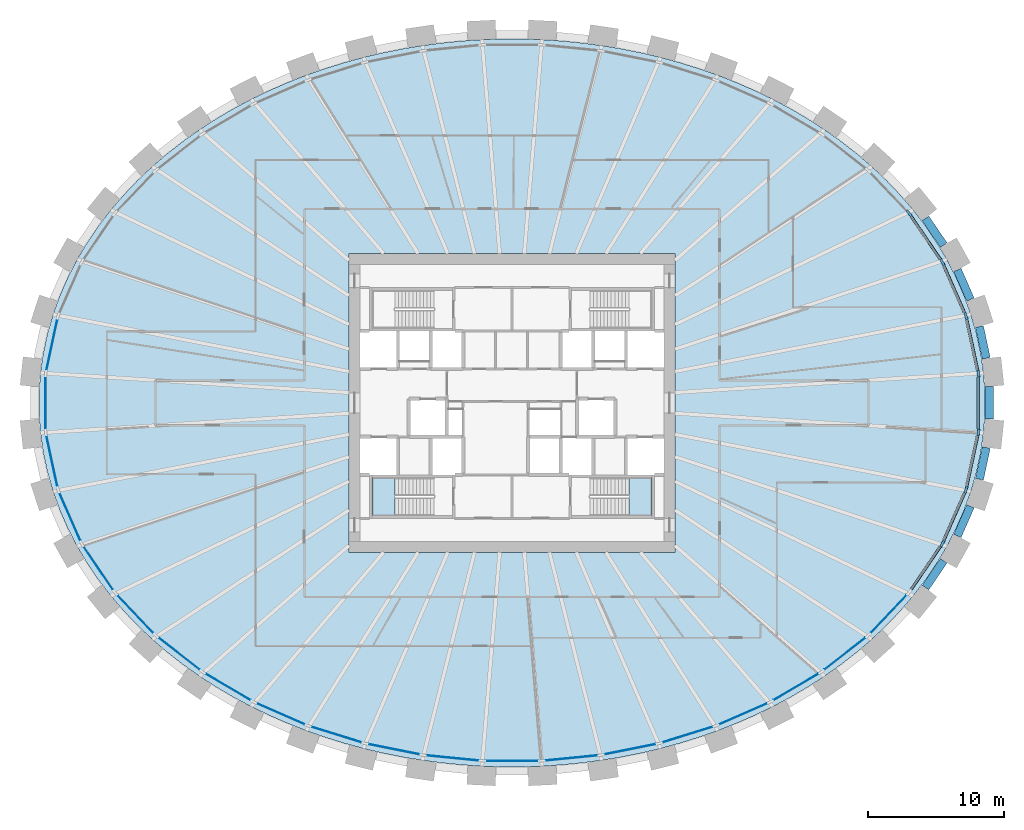
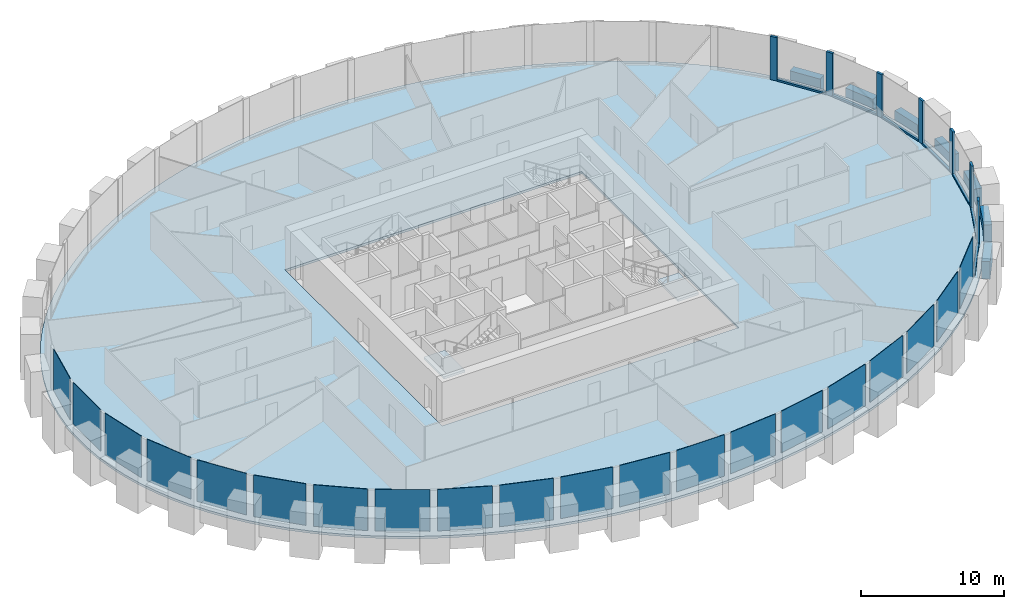
# One storey, part 4 of 11: 20 plates, 14 members, 7 beams, 3 slabs, 3 elements without a shape of their own.
"""IFC4 building model written with IfcOpenShell, lengths in metres."""

import ifcopenshell
import ifcopenshell.guid

model = None  # the IFC model being written
_history = None  # IfcOwnerHistory: only IFC2X3 demands one
_inside = {}  # id of a spatial element -> (the spatial element, [elements in it])
_under = {}  # id of a project, library or spatial element -> (it, [spatial elements below it])
_declared = {}  # id of a project -> (the project, [libraries it declares])
_typed = {}  # id of a type object -> (the type object, [elements of that type])
_made_of = {}  # id of a material, layer set ... -> (it, [elements and type objects made of it])


def new_model(schema):
    """Start an empty IFC model of exactly this schema.

    Asked for "IFC4X3", IfcOpenShell would pick the latest addendum, in which some entities
    have other attributes; the version numbers below select the first issue.
    IFC2X3 requires an IfcOwnerHistory on every rooted entity: one is made here for all.
    """
    global model, _history
    if schema == "IFC4X3":
        model = ifcopenshell.file(schema_version=(4, 3, 0, 0))
    else:
        model = ifcopenshell.file(schema=schema)
    _inside.clear()
    _under.clear()
    _declared.clear()
    _typed.clear()
    _made_of.clear()
    _history = None
    if model.schema == "IFC2X3":
        org = make("IfcOrganization", Name="unknown")
        user = make(
            "IfcPersonAndOrganization",
            ThePerson=make("IfcPerson", FamilyName="unknown"),
            TheOrganization=org,
        )
        app = make(
            "IfcApplication",
            ApplicationDeveloper=org,
            Version="unknown",
            ApplicationFullName="unknown",
            ApplicationIdentifier="unknown",
        )
        _history = make(
            "IfcOwnerHistory",
            OwningUser=user,
            OwningApplication=app,
            ChangeAction="ADDED",
            CreationDate=0,
        )
    return model


def make(cls, **values):
    """One entity of the class cls with the attributes given. An attribute that is None is left unset."""
    return model.create_entity(
        cls, **{name: value for name, value in values.items() if value is not None}
    )


def rooted(cls, **values):
    """An entity with a GlobalId (a new one), such as an element, a storey or a relation."""
    return make(cls, GlobalId=ifcopenshell.guid.new(), OwnerHistory=_history, **values)


def si_unit(unit_type, name, prefix=None):
    """IfcSIUnit, for example si_unit("LENGTHUNIT", "METRE", prefix="MILLI")."""
    return make("IfcSIUnit", UnitType=unit_type, Prefix=prefix, Name=name)


def assignment(units):
    """IfcUnitAssignment: the units of a project."""
    return None if units is None else make("IfcUnitAssignment", Units=units)


def point(xyz):
    """IfcCartesianPoint."""
    return None if xyz is None else make("IfcCartesianPoint", Coordinates=xyz)


def direction(xyz):
    """IfcDirection."""
    return None if xyz is None else make("IfcDirection", DirectionRatios=xyz)


def frame(location, z_axis=None, x_axis=None):
    """IfcAxis2Placement3D, a coordinate frame: its origin and axes. An axis left out is left unset."""
    return make(
        "IfcAxis2Placement3D",
        Location=point(location),
        Axis=direction(z_axis),
        RefDirection=direction(x_axis),
    )


def frame_2d(location, x_axis=None):
    """IfcAxis2Placement2D, a coordinate frame in the plane: its origin and x axis."""
    return make(
        "IfcAxis2Placement2D", Location=point(location), RefDirection=direction(x_axis)
    )


def origin():
    """The frame at (0, 0, 0) with its axes left unset."""
    return frame((0.0, 0.0, 0.0))


def origin_2d():
    """The frame at (0, 0) in the plane with its x axis left unset."""
    return frame_2d((0.0, 0.0))


def place(relative_to, where):
    """IfcLocalPlacement: puts the frame where relative to a parent placement (None: the world)."""
    return make(
        "IfcLocalPlacement", PlacementRelTo=relative_to, RelativePlacement=where
    )


def context(
    kind, dimensions, precision=None, world=None, true_north=None, identifier=None
):
    """IfcGeometricRepresentationContext, for example the 3D "Model" context."""
    return make(
        "IfcGeometricRepresentationContext",
        ContextIdentifier=identifier,
        ContextType=kind,
        CoordinateSpaceDimension=dimensions,
        Precision=precision,
        WorldCoordinateSystem=world,
        TrueNorth=true_north,
    )


def subcontext(parent, identifier, kind, view, scale=None):
    """IfcGeometricRepresentationSubContext, for example "Body" below "Model"."""
    return make(
        "IfcGeometricRepresentationSubContext",
        ContextIdentifier=identifier,
        ContextType=kind,
        ParentContext=parent,
        TargetScale=scale,
        TargetView=view,
    )


def project(units=None, contexts=None):
    """IfcProject with its units and contexts."""
    return rooted(
        "IfcProject",
        Name="project",
        RepresentationContexts=contexts,
        UnitsInContext=assignment(units),
    )


def spatial(cls, under=None, at=None, **own):
    """A site, building, storey or space (cls), placed at a placement, below another one or the project."""
    s = rooted(cls, ObjectPlacement=at, **own)
    if under is not None:
        _under.setdefault(under.id(), (under, []))[1].append(s)
    return s


def polyline(points):
    """IfcPolyline through the points."""
    return make("IfcPolyline", Points=[point(p) for p in points])


def profile(cls, at=None, kind="AREA", **sizes):
    """A parametric profile (cls). Its sizes go by their IFC names, for example OverallWidth=200.0."""
    return make(cls, ProfileType=kind, Position=at, **sizes)


def rectangle(**sizes):
    """IfcRectangleProfileDef."""
    return profile("IfcRectangleProfileDef", **sizes)


def outline(outer, holes=None, kind="AREA"):
    """IfcArbitraryClosedProfileDef: a profile drawn as a closed curve; with holes, ...WithVoids."""
    if holes is None:
        return make("IfcArbitraryClosedProfileDef", ProfileType=kind, OuterCurve=outer)
    return make(
        "IfcArbitraryProfileDefWithVoids",
        ProfileType=kind,
        OuterCurve=outer,
        InnerCurves=holes,
    )


def extrude(swept, where, along, depth):
    """IfcExtrudedAreaSolid: the profile swept, set in the frame where, extruded along a direction by depth."""
    return make(
        "IfcExtrudedAreaSolid",
        SweptArea=swept,
        Position=where,
        ExtrudedDirection=direction(along),
        Depth=depth,
    )


def shape(context_of_items, identifier, shape_type, items):
    """IfcShapeRepresentation: the items that make up one representation, for example the "Body"."""
    return make(
        "IfcShapeRepresentation",
        ContextOfItems=context_of_items,
        RepresentationIdentifier=identifier,
        RepresentationType=shape_type,
        Items=items,
    )


def source(mapping_origin, context_of_items, identifier, shape_type, items):
    """IfcRepresentationMap: a shape defined once, which mapped items show again and again."""
    return make(
        "IfcRepresentationMap",
        MappingOrigin=mapping_origin,
        MappedRepresentation=shape(context_of_items, identifier, shape_type, items),
    )


def transform(
    local_origin,
    x_axis=None,
    y_axis=None,
    z_axis=None,
    scale=None,
    scale2=None,
    scale3=None,
    uniform=True,
):
    """IfcCartesianTransformationOperator3D, or its non-uniform kind. x_axis, y_axis, z_axis: its Axis1, 2, 3."""
    if uniform:
        return make(
            "IfcCartesianTransformationOperator3D",
            Axis1=direction(x_axis),
            Axis2=direction(y_axis),
            LocalOrigin=point(local_origin),
            Scale=scale,
            Axis3=direction(z_axis),
        )
    return make(
        "IfcCartesianTransformationOperator3DnonUniform",
        Axis1=direction(x_axis),
        Axis2=direction(y_axis),
        LocalOrigin=point(local_origin),
        Scale=scale,
        Axis3=direction(z_axis),
        Scale2=scale2,
        Scale3=scale3,
    )


def mapped(mapping_source, mapping_target):
    """IfcMappedItem: shows the shape of a source again, moved by a transform."""
    return make(
        "IfcMappedItem", MappingSource=mapping_source, MappingTarget=mapping_target
    )


def material(Name=None, Category=None):
    """IfcMaterial."""
    return make("IfcMaterial", Name=Name, Category=Category)


def layer(
    of_material, thickness, ventilated=None, Name=None, Category=None, Priority=None
):
    """IfcMaterialLayer: one layer of a wall or slab, of a material (None: an air gap)."""
    return make(
        "IfcMaterialLayer",
        Material=of_material,
        LayerThickness=thickness,
        IsVentilated=ventilated,
        Name=Name,
        Category=Category,
        Priority=Priority,
    )


def layer_set(layers, Name=None):
    """IfcMaterialLayerSet."""
    return make("IfcMaterialLayerSet", MaterialLayers=layers, LayerSetName=Name)


def material_profile(
    of_material, cross_section, Name=None, Category=None, Priority=None
):
    """IfcMaterialProfile: a cross section and its material."""
    return make(
        "IfcMaterialProfile",
        Name=Name,
        Material=of_material,
        Profile=cross_section,
        Priority=Priority,
        Category=Category,
    )


def profile_set(profiles, Name=None, composite=None):
    """IfcMaterialProfileSet."""
    return make(
        "IfcMaterialProfileSet",
        Name=Name,
        MaterialProfiles=profiles,
        CompositeProfile=composite,
    )


def made_of(thing, what):
    """Note that an element or type object is made of a material, layer set ...; save() writes the relation."""
    if what is not None:
        _made_of.setdefault(what.id(), (what, []))[1].append(thing)
    return thing


def type_object(cls, material=None, **own):
    """A type object (cls), such as IfcWallType, which elements share."""
    return made_of(rooted(cls, **own), material)


def element(
    cls,
    number,
    at=None,
    inside=None,
    cuts=None,
    type_object=None,
    material=None,
    context=None,
    identifier="Body",
    shape_type=None,
    held_by="IfcProductDefinitionShape",
    body=None,
    shapes=None,
    **own,
):
    """One element of the class cls, such as IfcWall. Its Tag is "e" and its number.

    at: its placement. inside: the storey or other place that contains it. cuts: it is an
    opening in that element (IfcRelVoidsElement). A single representation is given by context,
    identifier, shape_type and body (its items); several are given by shapes. held_by: the class
    of the entity that holds the representations. save() writes the other relations.
    """
    e = rooted(cls, Tag="e%d" % number, ObjectPlacement=at, **own)
    if body is not None:
        shapes = [shape(context, identifier, shape_type, body)]
    if shapes is not None:
        e.Representation = make(held_by, Representations=shapes)
    if inside is not None:
        _inside.setdefault(inside.id(), (inside, []))[1].append(e)
    if cuts is not None:
        rooted(
            "IfcRelVoidsElement", RelatingBuildingElement=cuts, RelatedOpeningElement=e
        )
    if type_object is not None:
        _typed.setdefault(type_object.id(), (type_object, []))[1].append(e)
    return made_of(e, material)


def aggregate(whole, parts):
    """IfcRelAggregates: a whole, such as a stair, and the parts it consists of."""
    return rooted("IfcRelAggregates", RelatingObject=whole, RelatedObjects=parts)


def save(model, path):
    """Write the relations noted so far, then the file.

    IfcRelAggregates (storeys below a building ...), IfcRelContainedInSpatialStructure (elements
    in a storey), IfcRelDefinesByType, IfcRelAssociatesMaterial and IfcRelDeclares: one each for
    every whole, place, type object, material and project.
    """
    for whole, parts in _under.values():
        aggregate(whole, parts)
    for where, things in _inside.values():
        rooted(
            "IfcRelContainedInSpatialStructure",
            RelatedElements=things,
            RelatingStructure=where,
        )
    for kind, things in _typed.values():
        rooted("IfcRelDefinesByType", RelatedObjects=things, RelatingType=kind)
    for what, things in _made_of.values():
        rooted("IfcRelAssociatesMaterial", RelatedObjects=things, RelatingMaterial=what)
    for by, libraries in _declared.values():
        rooted("IfcRelDeclares", RelatingContext=by, RelatedDefinitions=libraries)
    model.write(path)


model = new_model("IFC4")

# Units and contexts
model_context = context("Model", 3, precision=1e-05, world=origin(), true_north=direction((0.0, 1.0)))
body_context = subcontext(model_context, "Body", "Model", "MODEL_VIEW")
ifc_project = project(units=[si_unit("LENGTHUNIT", "METRE"), si_unit("AREAUNIT", "SQUARE_METRE"), si_unit("VOLUMEUNIT", "CUBIC_METRE"), si_unit("PLANEANGLEUNIT", "RADIAN"), si_unit("MASSUNIT", "GRAM", prefix="KILO")], contexts=[model_context])

# Site, building, storey
site_placement = place(None, origin())
site = spatial("IfcSite", under=ifc_project, at=site_placement, CompositionType="ELEMENT")
building_placement = place(site_placement, origin())
building = spatial("IfcBuilding", under=site, at=building_placement, Name="Embergate Tower", CompositionType="ELEMENT")
storey_placement = place(building_placement, frame((0.0, 0.0, 215.10009765625)))
storey = spatial("IfcBuildingStorey", under=building, at=storey_placement, Name="L49", CompositionType="ELEMENT", Elevation=215.10009765625)

# Beams
ifc_material_1 = material(Name="Concrete C60", Category="concrete")
ifc_material_profile_1 = material_profile(ifc_material_1, rectangle(XDim=0.60009765625, YDim=1.5, at=origin_2d()), Name="RC 600x1500")
ifc_profile_set_1 = profile_set([ifc_material_profile_1], Name="Concrete C60")
beam_type = type_object("IfcBeamType", Name="Spandrel beam RC 600x1500 C60", PredefinedType="BEAM", material=ifc_profile_set_1)
shared_shape_1 = source(origin(), body_context, "Body", "SweptSolid", [
    extrude(rectangle(XDim=0.60009765625, YDim=1.5, at=origin_2d()), origin(), (0.0, 0.0, 1.0), 2.3896484375),
])
for number, where, z_axis, x_axis, name in (
    (1, (34.93896484375, 3.284912109375, 0.0), (-0.21045693854, 0.977603128586, 0.0), (-0.977603128586, -0.21045693854, 0.0), "SPN-L49-00"),
    (2, (34.43603515625, -5.62109375, 0.0), (0.21045693854, 0.977603128586, 0.0), (-0.977603128586, 0.21045693854, 0.0), "SPN-L49-42"),
):
    element("IfcBeam", number, at=place(storey_placement, frame(where, z_axis=z_axis, x_axis=x_axis)), inside=storey, type_object=beam_type, Name=name, PredefinedType="BEAM", context=body_context, shape_type="MappedRepresentation", body=[
        mapped(shared_shape_1, transform((0.0, 0.0, 0.0))),
    ])
shared_shape_2 = source(origin(), body_context, "Body", "SweptSolid", [
    extrude(rectangle(XDim=0.60009765625, YDim=1.5, at=origin_2d()), origin(), (0.0, 0.0, 1.0), 2.3837890625),
])
for number, where, z_axis, x_axis, name in (
    (3, (33.77099609375, 7.613037109375, 0.0), (-0.401876968148, 0.915693672836, 0.0), (-0.915693672836, -0.401876968148, 0.0), "SPN-L49-01"),
    (4, (32.81298828125, -9.7958984375, 0.0), (0.401876968148, 0.915693672836, 0.0), (-0.915693672836, 0.401876968148, 0.0), "SPN-L49-41"),
):
    element("IfcBeam", number, at=place(storey_placement, frame(where, z_axis=z_axis, x_axis=x_axis)), inside=storey, type_object=beam_type, Name=name, PredefinedType="BEAM", context=body_context, shape_type="MappedRepresentation", body=[
        mapped(shared_shape_2, transform((0.0, 0.0, 0.0))),
    ])
shared_shape_3 = source(origin(), body_context, "Body", "SweptSolid", [
    extrude(rectangle(XDim=0.60009765625, YDim=1.5, at=origin_2d()), origin(), (0.0, 0.0, 1.0), 2.379150390625),
])
for number, where, z_axis, x_axis, name in (
    (5, (31.797119140625, 11.633056640625, 0.0), (-0.562467199194, 0.826819599327, 0.0), (-0.826819599327, -0.562467199194, 0.0), "SPN-L49-02"),
    (6, (30.458984375, -13.60009765625, 0.0), (0.562467199194, 0.826819599327, 0.0), (-0.826819599327, 0.562467199194, 0.0), "SPN-L49-40"),
):
    element("IfcBeam", number, at=place(storey_placement, frame(where, z_axis=z_axis, x_axis=x_axis)), inside=storey, type_object=beam_type, Name=name, PredefinedType="BEAM", context=body_context, shape_type="MappedRepresentation", body=[
        mapped(shared_shape_3, transform((0.0, 0.0, 0.0))),
    ])
shared_shape_4 = source(origin(), body_context, "Body", "SweptSolid", [
    extrude(rectangle(XDim=0.60009765625, YDim=1.5, at=origin_2d()), origin(), (0.0, 0.0, 1.0), 2.39208984375),
])
beam_placement = place(storey_placement, frame((35.160888671875, -1.196044921875, 0.0), z_axis=(0.0, 1.0, 0.0), x_axis=(-1.0, 0.0, 0.0)))
element("IfcBeam", 7, at=beam_placement, inside=storey, type_object=beam_type, Name="SPN-L49-43", PredefinedType="BEAM", context=body_context, shape_type="MappedRepresentation", body=[
    mapped(shared_shape_4, transform((0.0, 0.0, 0.0))),
])

# Curtain wall, members
ifc_material_2 = material(Name="Aluminium and glass", Category="aluminium")
curtain_wall_type = type_object("IfcCurtainWallType", Name="Recessed office glazing", PredefinedType="NOTDEFINED", material=ifc_material_2)
curtain_wall_placement = place(storey_placement, origin())
curtain_wall = element("IfcCurtainWall", 8, at=curtain_wall_placement, inside=storey, type_object=curtain_wall_type, Name="Recessed office glazing ring", ObjectType="RECESSED OFFICE GLAZING", PredefinedType="USERDEFINED")
ifc_material_3 = material(Name="Aluminium, thermally broken", Category="aluminium")
ifc_material_profile_2 = material_profile(ifc_material_3, rectangle(XDim=0.179931640625, YDim=0.52001953125, at=origin_2d()), Name="AL 520x180")
ifc_profile_set_2 = profile_set([ifc_material_profile_2], Name="Aluminium, thermally broken")
member_type_1 = type_object("IfcMemberType", Name="Office mullion", PredefinedType="MULLION", material=ifc_profile_set_2)
shared_shape_5 = source(origin(), body_context, "Body", "SweptSolid", [
    extrude(rectangle(XDim=0.179931640625, YDim=0.52001953125, at=origin_2d()), origin(), (0.0, 0.0, 1.0), 3.699951171875),
])
member_1_placement = place(storey_placement, frame((34.35302734375, 2.165283203125, 0.0), z_axis=(0.0, 0.0, 1.0), x_axis=(-0.994384954736, -0.105823257345, 0.0)))
member_1 = element("IfcMember", 9, at=member_1_placement, type_object=member_type_1, Name="CW mullion 1", PredefinedType="MULLION", context=body_context, shape_type="MappedRepresentation", body=[
    mapped(shared_shape_5, transform((0.0, 0.0, 0.0))),
])
member_2_placement = place(storey_placement, frame((33.44140625, 6.401611328125, 0.0), z_axis=(0.0, 0.0, 1.0), x_axis=(-0.951497797992, -0.307655554826, 0.0)))
member_2 = element("IfcMember", 10, at=member_2_placement, type_object=member_type_1, Name="CW mullion 2", PredefinedType="MULLION", context=body_context, shape_type="MappedRepresentation", body=[
    mapped(shared_shape_5, transform((0.0, 0.0, 0.0))),
])
member_3_placement = place(storey_placement, frame((31.697998046875, 10.376220703125, 0.0), z_axis=(0.0, 0.0, 1.0), x_axis=(-0.875002740779, -0.484117964581, 0.0)))
member_3 = element("IfcMember", 11, at=member_3_placement, type_object=member_type_1, Name="CW mullion 3", PredefinedType="MULLION", context=body_context, shape_type="MappedRepresentation", body=[
    mapped(shared_shape_5, transform((0.0, 0.0, 0.0))),
])
member_4_placement = place(storey_placement, frame((29.25244140625, 13.972412109375, 0.0), z_axis=(0.0, 0.0, 1.0), x_axis=(-0.777874757957, -0.628419335264, 0.0)))
member_4 = element("IfcMember", 12, at=member_4_placement, type_object=member_type_1, Name="CW mullion 4", PredefinedType="MULLION", context=body_context, shape_type="MappedRepresentation", body=[
    mapped(shared_shape_5, transform((0.0, 0.0, 0.0))),
])
member_5_placement = place(storey_placement, frame((31.697998046875, -10.376220703125, 0.0), z_axis=(0.0, 0.0, 1.0), x_axis=(-0.875002740779, 0.484117964581, 0.0)))
member_5 = element("IfcMember", 13, at=member_5_placement, type_object=member_type_1, Name="CW mullion 42", PredefinedType="MULLION", context=body_context, shape_type="MappedRepresentation", body=[
    mapped(shared_shape_5, transform((0.0, 0.0, 0.0))),
])
member_6_placement = place(storey_placement, frame((33.44140625, -6.401611328125, 0.0), z_axis=(0.0, 0.0, 1.0), x_axis=(-0.951497797992, 0.307655554826, 0.0)))
member_6 = element("IfcMember", 14, at=member_6_placement, type_object=member_type_1, Name="CW mullion 43", PredefinedType="MULLION", context=body_context, shape_type="MappedRepresentation", body=[
    mapped(shared_shape_5, transform((0.0, 0.0, 0.0))),
])
member_7_placement = place(storey_placement, frame((34.35302734375, -2.165283203125, 0.0), z_axis=(0.0, 0.0, 1.0), x_axis=(-0.994384954736, 0.105823257345, 0.0)))
member_7 = element("IfcMember", 15, at=member_7_placement, type_object=member_type_1, Name="CW mullion 44", PredefinedType="MULLION", context=body_context, shape_type="MappedRepresentation", body=[
    mapped(shared_shape_5, transform((0.0, 0.0, 0.0))),
])
ifc_material_profile_3 = material_profile(ifc_material_3, rectangle(XDim=0.179931640625, YDim=0.14990234375, at=origin_2d()), Name="AL 150x180")
ifc_profile_set_3 = profile_set([ifc_material_profile_3], Name="Aluminium, thermally broken")
member_type_2 = type_object("IfcMemberType", Name="Office sill transom", PredefinedType="USERDEFINED", material=ifc_profile_set_3)
shared_shape_6 = source(origin(), body_context, "Body", "SweptSolid", [
    extrude(rectangle(XDim=0.179931640625, YDim=0.14990234375, at=origin_2d()), origin(), (0.0, 0.0, 1.0), 3.8134765625),
])
member_8_placement = place(storey_placement, frame((34.29833984375, 2.41943359375, 0.074951171875), z_axis=(-0.210377227089, 0.977620285347, 0.0), x_axis=(-0.977620285347, -0.210377227089, 0.0)))
member_8 = element("IfcMember", 16, at=member_8_placement, type_object=member_type_2, Name="CW transom 1.1", ObjectType="TRANSOM", PredefinedType="USERDEFINED", context=body_context, shape_type="MappedRepresentation", body=[
    mapped(shared_shape_6, transform((0.0, 0.0, 0.0))),
])
member_9_placement = place(storey_placement, frame((33.49609375, -6.1474609375, 0.074951171875), z_axis=(0.210377227089, 0.977620285347, 0.0), x_axis=(-0.977620285347, 0.210377227089, 0.0)))
member_9 = element("IfcMember", 17, at=member_9_placement, type_object=member_type_2, Name="CW transom 43.1", ObjectType="TRANSOM", PredefinedType="USERDEFINED", context=body_context, shape_type="MappedRepresentation", body=[
    mapped(shared_shape_6, transform((0.0, 0.0, 0.0))),
])
shared_shape_7 = source(origin(), body_context, "Body", "SweptSolid", [
    extrude(rectangle(XDim=0.179931640625, YDim=0.14990234375, at=origin_2d()), origin(), (0.0, 0.0, 1.0), 3.8203125),
])
member_10_placement = place(storey_placement, frame((33.3369140625, 6.6396484375, 0.074951171875), z_axis=(-0.401656793595, 0.915790270837, 0.0), x_axis=(-0.915790270837, -0.401656793595, 0.0)))
member_10 = element("IfcMember", 18, at=member_10_placement, type_object=member_type_2, Name="CW transom 2.1", ObjectType="TRANSOM", PredefinedType="USERDEFINED", context=body_context, shape_type="MappedRepresentation", body=[
    mapped(shared_shape_7, transform((0.0, 0.0, 0.0))),
])
member_11_placement = place(storey_placement, frame((31.802490234375, -10.13818359375, 0.074951171875), z_axis=(0.401656793595, 0.915790270837, 0.0), x_axis=(-0.915790270837, 0.401656793595, 0.0)))
member_11 = element("IfcMember", 19, at=member_11_placement, type_object=member_type_2, Name="CW transom 42.1", ObjectType="TRANSOM", PredefinedType="USERDEFINED", context=body_context, shape_type="MappedRepresentation", body=[
    mapped(shared_shape_7, transform((0.0, 0.0, 0.0))),
])
shared_shape_8 = source(origin(), body_context, "Body", "SweptSolid", [
    extrude(rectangle(XDim=0.179931640625, YDim=0.14990234375, at=origin_2d()), origin(), (0.0, 0.0, 1.0), 3.828857421875),
])
member_12_placement = place(storey_placement, frame((31.552001953125, 10.59130859375, 0.074951171875), z_axis=(-0.56238675743, 0.826874316367, 0.0), x_axis=(-0.826874316367, -0.56238675743, 0.0)))
member_12 = element("IfcMember", 20, at=member_12_placement, type_object=member_type_2, Name="CW transom 3.1", ObjectType="TRANSOM", PredefinedType="USERDEFINED", context=body_context, shape_type="MappedRepresentation", body=[
    mapped(shared_shape_8, transform((0.0, 0.0, 0.0))),
])
member_13_placement = place(storey_placement, frame((29.398681640625, -13.75732421875, 0.074951171875), z_axis=(0.56238675743, 0.826874316367, 0.0), x_axis=(-0.826874316367, 0.56238675743, 0.0)))
member_13 = element("IfcMember", 21, at=member_13_placement, type_object=member_type_2, Name="CW transom 41.1", ObjectType="TRANSOM", PredefinedType="USERDEFINED", context=body_context, shape_type="MappedRepresentation", body=[
    mapped(shared_shape_8, transform((0.0, 0.0, 0.0))),
])
shared_shape_9 = source(origin(), body_context, "Body", "SweptSolid", [
    extrude(rectangle(XDim=0.179931640625, YDim=0.14990234375, at=origin_2d()), origin(), (0.0, 0.0, 1.0), 3.810546875),
])
member_14_placement = place(storey_placement, frame((34.35302734375, -1.9052734375, 0.074951171875), z_axis=(0.0, 1.0, 0.0), x_axis=(-1.0, 0.0, 0.0)))
member_14 = element("IfcMember", 22, at=member_14_placement, type_object=member_type_2, Name="CW transom 44.1", ObjectType="TRANSOM", PredefinedType="USERDEFINED", context=body_context, shape_type="MappedRepresentation", body=[
    mapped(shared_shape_9, transform((0.0, 0.0, 0.0))),
])

# Slab
ifc_material_4 = material(Name="Concrete C40", Category="concrete")
ifc_layer_1 = layer(ifc_material_4, 0.199951171875)
ifc_layer_set_1 = layer_set([ifc_layer_1], Name="Concrete C40")
slab_type_1 = type_object("IfcSlabType", Name="Composite floor slab C40 200", PredefinedType="FLOOR", material=ifc_layer_set_1)
shared_shape_10 = source(origin(), body_context, "Body", "SweptSolid", [
    extrude(outline(polyline([(0.0, 0.0), (1.47412109375, 0.0), (2.947021484375, 0.048095703125), (4.421142578125, 0.14404296875), (5.887939453125, 0.2880859375), (7.345947265625, 0.47998046875), (8.80712890625, 0.72216796875), (10.251953125, 1.011962890625), (11.68115234375, 1.35009765625), (13.112060546875, 1.739990234375), (14.51904296875, 2.17919921875), (15.901123046875, 2.6640625), (17.2841796875, 3.2080078125), (18.635009765625, 3.798095703125), (19.949951171875, 4.43505859375), (21.26416015625, 5.135986328125), (22.53515625, 5.883056640625), (23.760009765625, 6.675048828125), (24.97705078125, 7.5380859375), (26.13916015625, 8.445068359375), (27.2431640625, 9.39306640625), (28.328125, 10.420166015625), (29.344970703125, 11.487060546875), (30.2919921875, 12.591064453125), (31.201171875, 13.775146484375), (32.029052734375, 14.9931640625), (32.776123046875, 16.2431640625), (33.4599609375, 17.566162109375), (34.051025390625, 18.9150390625), (34.549072265625, 20.287109375), (34.9599609375, 21.711181640625), (35.27001953125, 23.151123046875), (35.47802734375, 24.60205078125), (35.5830078125, 26.072998046875), (35.5830078125, 27.545166015625), (35.47802734375, 29.01611328125), (35.27001953125, 30.467041015625), (34.9599609375, 31.906982421875), (34.549072265625, 33.3310546875), (34.051025390625, 34.703125), (33.4599609375, 36.052001953125), (32.776123046875, 37.375), (32.029052734375, 38.625), (31.201171875, 39.843017578125), (30.2919921875, 41.027099609375), (29.344970703125, 42.131103515625), (28.328125, 43.197998046875), (27.2431640625, 44.22509765625), (26.13916015625, 45.173095703125), (24.97705078125, 46.080078125), (23.760009765625, 46.943115234375), (22.53515625, 47.735107421875), (21.26416015625, 48.482177734375), (19.949951171875, 49.18310546875), (18.635009765625, 49.820068359375), (17.2841796875, 50.41015625), (15.901123046875, 50.9541015625), (14.51904296875, 51.43896484375), (13.112060546875, 51.878173828125), (11.68115234375, 52.26806640625), (10.251953125, 52.606201171875), (8.80712890625, 52.89599609375), (7.345947265625, 53.13818359375), (5.887939453125, 53.330078125), (4.421142578125, 53.47412109375), (2.947021484375, 53.570068359375), (1.47412109375, 53.6181640625), (0.0, 53.6181640625), (-1.472900390625, 53.570068359375), (-2.947021484375, 53.47412109375), (-4.413818359375, 53.330078125), (-5.871826171875, 53.13818359375), (-7.3330078125, 52.89599609375), (-8.77783203125, 52.606201171875), (-10.20703125, 52.26806640625), (-11.637939453125, 51.878173828125), (-13.044921875, 51.43896484375), (-14.427001953125, 50.9541015625), (-15.81005859375, 50.41015625), (-17.160888671875, 49.820068359375), (-18.475830078125, 49.18310546875), (-19.7900390625, 48.482177734375), (-21.06103515625, 47.735107421875), (-22.285888671875, 46.943115234375), (-23.5029296875, 46.080078125), (-24.6650390625, 45.173095703125), (-25.76904296875, 44.22509765625), (-26.85400390625, 43.197998046875), (-27.870849609375, 42.131103515625), (-28.81787109375, 41.027099609375), (-29.72705078125, 39.843017578125), (-30.554931640625, 38.625), (-31.302001953125, 37.375), (-31.98583984375, 36.052001953125), (-32.576904296875, 34.703125), (-33.074951171875, 33.3310546875), (-33.48583984375, 31.906982421875), (-33.7958984375, 30.467041015625), (-34.00390625, 29.01611328125), (-34.10888671875, 27.545166015625), (-34.10888671875, 26.072998046875), (-34.00390625, 24.60205078125), (-33.7958984375, 23.151123046875), (-33.48583984375, 21.711181640625), (-33.074951171875, 20.287109375), (-32.576904296875, 18.9150390625), (-31.98583984375, 17.566162109375), (-31.302001953125, 16.2431640625), (-30.554931640625, 14.9931640625), (-29.72705078125, 13.775146484375), (-28.81787109375, 12.591064453125), (-27.870849609375, 11.487060546875), (-26.85400390625, 10.420166015625), (-25.76904296875, 9.39306640625), (-24.6650390625, 8.445068359375), (-23.5029296875, 7.5380859375), (-22.285888671875, 6.675048828125), (-21.06103515625, 5.883056640625), (-19.7900390625, 5.135986328125), (-18.475830078125, 4.43505859375), (-17.160888671875, 3.798095703125), (-15.81005859375, 3.2080078125), (-14.427001953125, 2.6640625), (-13.044921875, 2.17919921875), (-11.637939453125, 1.739990234375), (-10.20703125, 1.35009765625), (-8.77783203125, 1.011962890625), (-7.3330078125, 0.72216796875), (-5.871826171875, 0.47998046875), (-4.413818359375, 0.2880859375), (-2.947021484375, 0.14404296875), (-1.472900390625, 0.048095703125), (0.0, 0.0)]), holes=[polyline([(-11.262939453125, 15.80908203125), (-11.262939453125, 37.80908203125), (12.737060546875, 37.80908203125), (12.737060546875, 15.80908203125), (-11.262939453125, 15.80908203125)])]), origin(), (0.0, 0.0, 1.0), 0.2001953125),
])
slab_1_placement = place(storey_placement, frame((-0.737060546875, -26.80908203125, -0.2001953125)))
element("IfcSlab", 23, at=slab_1_placement, inside=storey, type_object=slab_type_1, Name="SLB-L49-00", PredefinedType="FLOOR", context=body_context, shape_type="MappedRepresentation", body=[
    mapped(shared_shape_10, transform((0.0, 0.0, 0.0))),
])

# Plate
ifc_material_5 = material(Name="Triple glazing, low-emissivity coating", Category="glass")
ifc_layer_2 = layer(ifc_material_5, 0.035888671875)
ifc_layer_set_2 = layer_set([ifc_layer_2], Name="Triple glazing, low-emissivity coating")
plate_type = type_object("IfcPlateType", Name="Office glazing unit", PredefinedType="CURTAIN_PANEL", material=ifc_layer_set_2)
shared_shape_11 = source(origin(), body_context, "Body", "SweptSolid", [
    extrude(rectangle(XDim=3.813232421875, YDim=0.035888671875, at=origin_2d()), origin(), (0.0, 0.0, 1.0), 3.550048828125),
])
plate_1_placement = place(storey_placement, frame((-33.897216796875, 4.283447265625, 0.14990234375), z_axis=(0.0, 0.0, 1.0), x_axis=(-0.210394978653, -0.977616465163, 0.0)))
plate_1 = element("IfcPlate", 24, at=plate_1_placement, type_object=plate_type, Name="CW panel 21.1", PredefinedType="CURTAIN_PANEL", context=body_context, shape_type="MappedRepresentation", body=[
    mapped(shared_shape_11, transform((0.0, 0.0, 0.0))),
])

plate_2_placement = place(storey_placement, frame((-33.897216796875, -4.283447265625, 0.14990234375), z_axis=(0.0, 0.0, 1.0), x_axis=(0.210394978653, -0.977616465163, 0.0)))
plate_2 = element("IfcPlate", 25, at=plate_2_placement, type_object=plate_type, Name="CW panel 23.1", PredefinedType="CURTAIN_PANEL", context=body_context, shape_type="MappedRepresentation", body=[
    mapped(shared_shape_11, transform((0.0, 0.0, 0.0))),
])

shared_shape_12 = source(origin(), body_context, "Body", "SweptSolid", [
    extrude(rectangle(XDim=3.820068359375, YDim=0.035888671875, at=origin_2d()), origin(), (0.0, 0.0, 1.0), 3.550048828125),
])
plate_3_placement = place(storey_placement, frame((-32.569580078125, -8.388916015625, 0.14990234375), z_axis=(0.0, 0.0, 1.0), x_axis=(0.401648904437, -0.915793730905, 0.0)))
plate_3 = element("IfcPlate", 26, at=plate_3_placement, type_object=plate_type, Name="CW panel 24.1", PredefinedType="CURTAIN_PANEL", context=body_context, shape_type="MappedRepresentation", body=[
    mapped(shared_shape_12, transform((0.0, 0.0, 0.0))),
])

shared_shape_13 = source(origin(), body_context, "Body", "SweptSolid", [
    extrude(rectangle(XDim=3.828857421875, YDim=0.035888671875, at=origin_2d()), origin(), (0.0, 0.0, 1.0), 3.550048828125),
])
plate_4_placement = place(storey_placement, frame((-30.475341796875, -12.17431640625, 0.14990234375), z_axis=(0.0, 0.0, 1.0), x_axis=(0.562337412243, -0.826907875638, 0.0)))
plate_4 = element("IfcPlate", 27, at=plate_4_placement, type_object=plate_type, Name="CW panel 25.1", PredefinedType="CURTAIN_PANEL", context=body_context, shape_type="MappedRepresentation", body=[
    mapped(shared_shape_13, transform((0.0, 0.0, 0.0))),
])

shared_shape_14 = source(origin(), body_context, "Body", "SweptSolid", [
    extrude(rectangle(XDim=3.83740234375, YDim=0.035888671875, at=origin_2d()), origin(), (0.0, 0.0, 1.0), 3.550048828125),
])
plate_5_placement = place(storey_placement, frame((-27.748779296875, -15.549072265625, 0.14990234375), z_axis=(0.0, 0.0, 1.0), x_axis=(0.690128732196, -0.72368662624, 0.0)))
plate_5 = element("IfcPlate", 28, at=plate_5_placement, type_object=plate_type, Name="CW panel 26.1", PredefinedType="CURTAIN_PANEL", context=body_context, shape_type="MappedRepresentation", body=[
    mapped(shared_shape_14, transform((0.0, 0.0, 0.0))),
])

plate_6_placement = place(storey_placement, frame((27.748779296875, -15.549072265625, 0.14990234375), z_axis=(0.0, 0.0, 1.0), x_axis=(0.690128732196, 0.72368662624, 0.0)))
plate_6 = element("IfcPlate", 29, at=plate_6_placement, type_object=plate_type, Name="CW panel 40.1", PredefinedType="CURTAIN_PANEL", context=body_context, shape_type="MappedRepresentation", body=[
    mapped(shared_shape_14, transform((0.0, 0.0, 0.0))),
])

shared_shape_15 = source(origin(), body_context, "Body", "SweptSolid", [
    extrude(rectangle(XDim=3.844970703125, YDim=0.035888671875, at=origin_2d()), origin(), (0.0, 0.0, 1.0), 3.550048828125),
])
plate_7_placement = place(storey_placement, frame((-24.52490234375, -18.468505859375, 0.14990234375), z_axis=(0.0, 0.0, 1.0), x_axis=(0.788315823873, -0.615270803656, 0.0)))
plate_7 = element("IfcPlate", 30, at=plate_7_placement, type_object=plate_type, Name="CW panel 27.1", PredefinedType="CURTAIN_PANEL", context=body_context, shape_type="MappedRepresentation", body=[
    mapped(shared_shape_15, transform((0.0, 0.0, 0.0))),
])

plate_8_placement = place(storey_placement, frame((24.52490234375, -18.468505859375, 0.14990234375), z_axis=(0.0, 0.0, 1.0), x_axis=(0.788315823873, 0.615270803656, 0.0)))
plate_8 = element("IfcPlate", 31, at=plate_8_placement, type_object=plate_type, Name="CW panel 39.1", PredefinedType="CURTAIN_PANEL", context=body_context, shape_type="MappedRepresentation", body=[
    mapped(shared_shape_15, transform((0.0, 0.0, 0.0))),
])

shared_shape_16 = source(origin(), body_context, "Body", "SweptSolid", [
    extrude(rectangle(XDim=3.850830078125, YDim=0.035888671875, at=origin_2d()), origin(), (0.0, 0.0, 1.0), 3.550048828125),
])
plate_9_placement = place(storey_placement, frame((-20.920654296875, -20.9189453125, 0.14990234375), z_axis=(0.0, 0.0, 1.0), x_axis=(0.862049629534, -0.506823871004, 0.0)))
plate_9 = element("IfcPlate", 32, at=plate_9_placement, type_object=plate_type, Name="CW panel 28.1", PredefinedType="CURTAIN_PANEL", context=body_context, shape_type="MappedRepresentation", body=[
    mapped(shared_shape_16, transform((0.0, 0.0, 0.0))),
])

plate_10_placement = place(storey_placement, frame((20.920654296875, -20.9189453125, 0.14990234375), z_axis=(0.0, 0.0, 1.0), x_axis=(0.862049629534, 0.506823871004, 0.0)))
plate_10 = element("IfcPlate", 33, at=plate_10_placement, type_object=plate_type, Name="CW panel 38.1", PredefinedType="CURTAIN_PANEL", context=body_context, shape_type="MappedRepresentation", body=[
    mapped(shared_shape_16, transform((0.0, 0.0, 0.0))),
])

shared_shape_17 = source(origin(), body_context, "Body", "SweptSolid", [
    extrude(rectangle(XDim=3.855224609375, YDim=0.035888671875, at=origin_2d()), origin(), (0.0, 0.0, 1.0), 3.550048828125),
])
plate_11_placement = place(storey_placement, frame((-17.0322265625, -22.903076171875, 0.14990234375), z_axis=(0.0, 0.0, 1.0), x_axis=(0.916233414734, -0.400644892298, 0.0)))
plate_11 = element("IfcPlate", 34, at=plate_11_placement, type_object=plate_type, Name="CW panel 29.1", PredefinedType="CURTAIN_PANEL", context=body_context, shape_type="MappedRepresentation", body=[
    mapped(shared_shape_17, transform((0.0, 0.0, 0.0))),
])

plate_12_placement = place(storey_placement, frame((17.0322265625, -22.903076171875, 0.14990234375), z_axis=(0.0, 0.0, 1.0), x_axis=(0.916233414734, 0.400644892298, 0.0)))
plate_12 = element("IfcPlate", 35, at=plate_12_placement, type_object=plate_type, Name="CW panel 37.1", PredefinedType="CURTAIN_PANEL", context=body_context, shape_type="MappedRepresentation", body=[
    mapped(shared_shape_17, transform((0.0, 0.0, 0.0))),
])

shared_shape_18 = source(origin(), body_context, "Body", "SweptSolid", [
    extrude(rectangle(XDim=3.8583984375, YDim=0.035888671875, at=origin_2d()), origin(), (0.0, 0.0, 1.0), 3.550048828125),
])
plate_13_placement = place(storey_placement, frame((-12.9375, -24.430419921875, 0.14990234375), z_axis=(0.0, 0.0, 1.0), x_axis=(0.954770660302, -0.297343212847, 0.0)))
plate_13 = element("IfcPlate", 36, at=plate_13_placement, type_object=plate_type, Name="CW panel 30.1", PredefinedType="CURTAIN_PANEL", context=body_context, shape_type="MappedRepresentation", body=[
    mapped(shared_shape_18, transform((0.0, 0.0, 0.0))),
])

plate_14_placement = place(storey_placement, frame((12.9375, -24.430419921875, 0.14990234375), z_axis=(0.0, 0.0, 1.0), x_axis=(0.954770660302, 0.297343212847, 0.0)))
plate_14 = element("IfcPlate", 37, at=plate_14_placement, type_object=plate_type, Name="CW panel 36.1", PredefinedType="CURTAIN_PANEL", context=body_context, shape_type="MappedRepresentation", body=[
    mapped(shared_shape_18, transform((0.0, 0.0, 0.0))),
])

shared_shape_19 = source(origin(), body_context, "Body", "SweptSolid", [
    extrude(rectangle(XDim=3.860595703125, YDim=0.035888671875, at=origin_2d()), origin(), (0.0, 0.0, 1.0), 3.550048828125),
])
plate_15_placement = place(storey_placement, frame((-8.69970703125, -25.51220703125, 0.14990234375), z_axis=(0.0, 0.0, 1.0), x_axis=(0.980475221003, -0.196642673395, 0.0)))
plate_15 = element("IfcPlate", 38, at=plate_15_placement, type_object=plate_type, Name="CW panel 31.1", PredefinedType="CURTAIN_PANEL", context=body_context, shape_type="MappedRepresentation", body=[
    mapped(shared_shape_19, transform((0.0, 0.0, 0.0))),
])

plate_16_placement = place(storey_placement, frame((8.69970703125, -25.51220703125, 0.14990234375), z_axis=(0.0, 0.0, 1.0), x_axis=(0.980475221003, 0.196642673395, 0.0)))
plate_16 = element("IfcPlate", 39, at=plate_16_placement, type_object=plate_type, Name="CW panel 35.1", PredefinedType="CURTAIN_PANEL", context=body_context, shape_type="MappedRepresentation", body=[
    mapped(shared_shape_19, transform((0.0, 0.0, 0.0))),
])

shared_shape_20 = source(origin(), body_context, "Body", "SweptSolid", [
    extrude(rectangle(XDim=3.862060546875, YDim=0.035888671875, at=origin_2d()), origin(), (0.0, 0.0, 1.0), 3.550048828125),
])
plate_17_placement = place(storey_placement, frame((-4.37158203125, -26.1572265625, 0.14990234375), z_axis=(0.0, 0.0, 1.0), x_axis=(0.995203014042, -0.097831287645, 0.0)))
plate_17 = element("IfcPlate", 40, at=plate_17_placement, type_object=plate_type, Name="CW panel 32.1", PredefinedType="CURTAIN_PANEL", context=body_context, shape_type="MappedRepresentation", body=[
    mapped(shared_shape_20, transform((0.0, 0.0, 0.0))),
])

plate_18_placement = place(storey_placement, frame((4.37158203125, -26.1572265625, 0.14990234375), z_axis=(0.0, 0.0, 1.0), x_axis=(0.995203014042, 0.097831287645, 0.0)))
plate_18 = element("IfcPlate", 41, at=plate_18_placement, type_object=plate_type, Name="CW panel 34.1", PredefinedType="CURTAIN_PANEL", context=body_context, shape_type="MappedRepresentation", body=[
    mapped(shared_shape_20, transform((0.0, 0.0, 0.0))),
])

shared_shape_21 = source(origin(), body_context, "Body", "SweptSolid", [
    extrude(rectangle(XDim=3.8623046875, YDim=0.035888671875, at=origin_2d()), origin(), (0.0, 0.0, 1.0), 3.550048828125),
])
plate_19_placement = place(storey_placement, frame((0.0, -26.37158203125, 0.14990234375), z_axis=(0.0, 0.0, 1.0), x_axis=(1.0, 0.0, 0.0)))
plate_19 = element("IfcPlate", 42, at=plate_19_placement, type_object=plate_type, Name="CW panel 33.1", PredefinedType="CURTAIN_PANEL", context=body_context, shape_type="MappedRepresentation", body=[
    mapped(shared_shape_21, transform((0.0, 0.0, 0.0))),
])

shared_shape_22 = source(origin(), body_context, "Body", "SweptSolid", [
    extrude(rectangle(XDim=3.810546875, YDim=0.035888671875, at=origin_2d()), origin(), (0.0, 0.0, 1.0), 3.550048828125),
])
plate_20_placement = place(storey_placement, frame((-34.35302734375, 0.0, 0.14990234375), z_axis=(0.0, 0.0, 1.0), x_axis=(0.0, -1.0, 0.0)))
plate_20 = element("IfcPlate", 43, at=plate_20_placement, type_object=plate_type, Name="CW panel 22.1", PredefinedType="CURTAIN_PANEL", context=body_context, shape_type="MappedRepresentation", body=[
    mapped(shared_shape_22, transform((0.0, 0.0, 0.0))),
])

aggregate(curtain_wall, [member_1, member_2, member_3, member_4, member_5, member_6, member_7, member_8, member_10, member_12, plate_1, plate_20, plate_2, plate_3, plate_4, plate_5, plate_7, plate_9, plate_11, plate_13, plate_15, plate_17, plate_19, plate_18, plate_16, plate_14, plate_12, plate_10, plate_8, plate_6, member_13, member_11, member_9, member_14])

# Stair, slab
ifc_material_6 = material(Name="Exit stair")
stair_type = type_object("IfcStairType", Name="Exit stair", PredefinedType="HALF_TURN_STAIR", material=ifc_material_6)
stair_1_placement = place(storey_placement, origin())
stair_1 = element("IfcStair", 44, at=stair_1_placement, inside=storey, type_object=stair_type, Name="L49 Exit stair 3", PredefinedType="HALF_TURN_STAIR")
ifc_layer_3 = layer(ifc_material_4, 0.199951171875)
ifc_layer_set_3 = layer_set([ifc_layer_3], Name="Concrete C40")
slab_type_2 = type_object("IfcSlabType", Name="Stair landing reinforced concrete", PredefinedType="LANDING", material=ifc_layer_set_3)
shared_shape_23 = source(origin(), body_context, "Body", "SweptSolid", [
    extrude(outline(polyline([(0.0, 0.0), (1.68994140625, 0.0), (1.68994140625, 2.800048828125), (0.0, 2.800048828125), (0.0, 0.0)])), origin(), (0.0, 0.0, 1.0), 0.199951171875),
])
slab_2_placement = place(storey_placement, frame((-10.300048828125, -8.300048828125, 1.75)))
slab_2 = element("IfcSlab", 45, at=slab_2_placement, type_object=slab_type_2, Name="ST3 landing 1", PredefinedType="LANDING", context=body_context, shape_type="MappedRepresentation", body=[
    mapped(shared_shape_23, transform((0.0, 0.0, 0.0))),
])
aggregate(stair_1, [slab_2])

stair_2_placement = place(storey_placement, origin())
stair_2 = element("IfcStair", 46, at=stair_2_placement, inside=storey, type_object=stair_type, Name="L49 Exit stair 4", PredefinedType="HALF_TURN_STAIR")
slab_3_placement = place(storey_placement, frame((8.610107421875, -8.300048828125, 1.75)))
slab_3 = element("IfcSlab", 47, at=slab_3_placement, type_object=slab_type_2, Name="ST4 landing 1", PredefinedType="LANDING", context=body_context, shape_type="MappedRepresentation", body=[
    mapped(shared_shape_23, transform((0.0, 0.0, 0.0))),
])
aggregate(stair_2, [slab_3])

save(model, "model.ifc")
